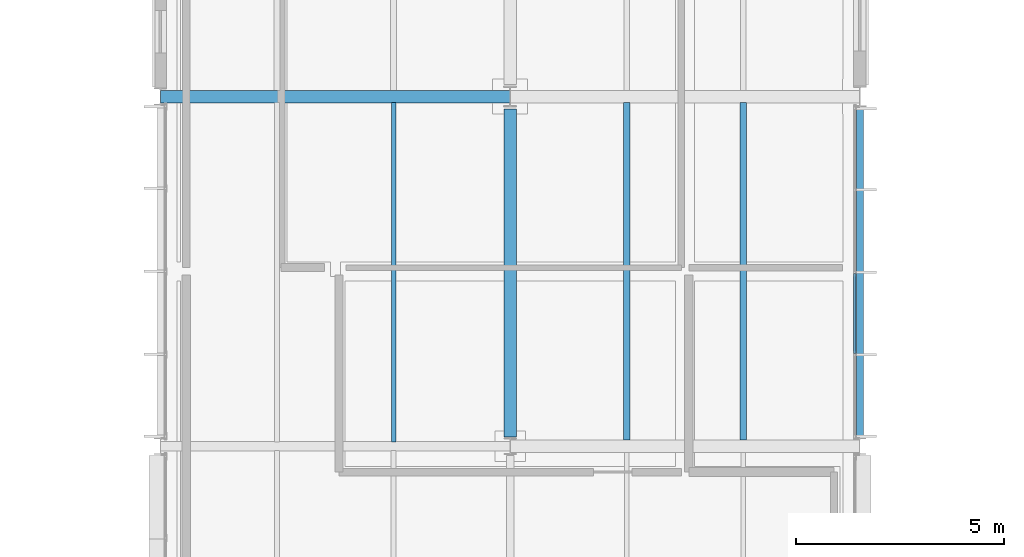
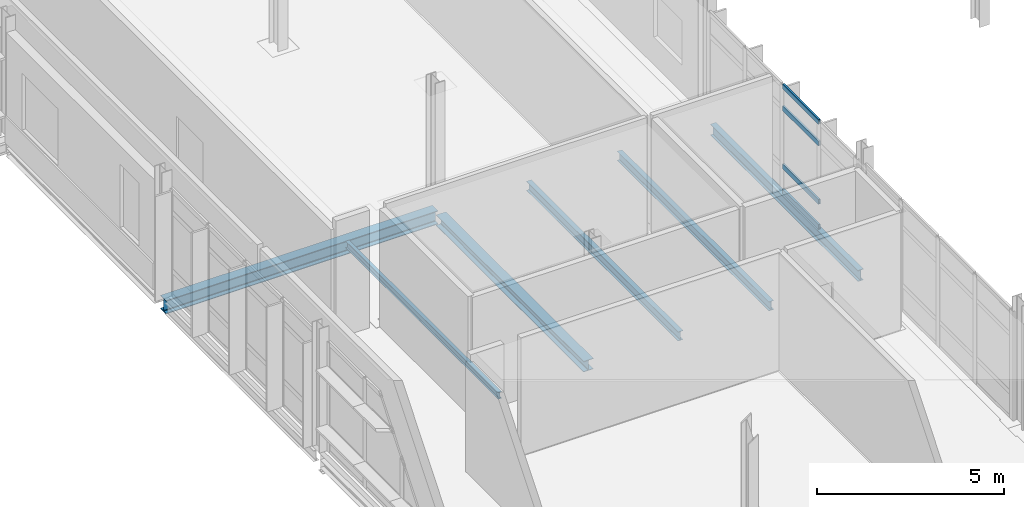
# One storey, part 78 of 151: 6 beams, 4 members, 1 element without a shape of its own.
"""IFC4 building model written with IfcOpenShell, lengths in metres."""

from ifc_helpers import new_model, si_unit, direction, frame, origin, origin_2d, place, context, subcontext, project, spatial, hollow_rectangle, i_section, extrude, material, material_profile, profile_set, type_object, element, aggregate, save


model = new_model("IFC4")

# Units and contexts
model_context = context("Model", 3, precision=1e-05, world=origin(), true_north=direction((0.0, 1.0)))
body_context = subcontext(model_context, "Body", "Model", "MODEL_VIEW")
ifc_project = project(units=[si_unit("LENGTHUNIT", "METRE"), si_unit("AREAUNIT", "SQUARE_METRE"), si_unit("VOLUMEUNIT", "CUBIC_METRE"), si_unit("PLANEANGLEUNIT", "RADIAN"), si_unit("MASSUNIT", "GRAM", prefix="KILO")], contexts=[model_context])

# Site, building, storey
site_placement = place(None, origin())
site = spatial("IfcSite", under=ifc_project, at=site_placement, CompositionType="ELEMENT")
building_placement = place(site_placement, origin())
building = spatial("IfcBuilding", under=site, at=building_placement, Name="Mersafa Astral City Hall", CompositionType="ELEMENT")
storey_placement = place(building_placement, frame((0.0, 0.0, 9.89990234375)))
storey = spatial("IfcBuildingStorey", under=building, at=storey_placement, Name="L02", CompositionType="ELEMENT", Elevation=9.89990234375)

# Curtain wall, members
ifc_material_1 = material(Name="Anodised bronze aluminium framing", Category="aluminium")
curtain_wall_type = type_object("IfcCurtainWallType", Name="ENV-CW-3", PredefinedType="USERDEFINED", material=ifc_material_1)
curtain_wall_placement = place(storey_placement, origin())
curtain_wall = element("IfcCurtainWall", 1, at=curtain_wall_placement, inside=storey, type_object=curtain_wall_type, Name="L02 Unitised solar curtain wall 116", ObjectType="UNITISED CURTAIN WALL", PredefinedType="USERDEFINED")
ifc_material_profile_1 = material_profile(ifc_material_1, hollow_rectangle(XDim=0.06005859375, YDim=0.159912109375, WallThickness=0.00390625, at=origin_2d()), Name="RHS 60x160x4")
ifc_profile_set_1 = profile_set([ifc_material_profile_1], Name="Anodised bronze aluminium framing")
member_type = type_object("IfcMemberType", Name="ENV-CW-TRN-2", PredefinedType="USERDEFINED", material=ifc_profile_set_1)
member_1_placement = place(storey_placement, frame((117.47998046875, 103.0234375, 0.028076171875), z_axis=(0.0, 1.0, 0.0), x_axis=(-1.0, 0.0, 0.0)))
member_1 = element("IfcMember", 2, at=member_1_placement, type_object=member_type, Name="CW-3 transom 2.1", ObjectType="TRANSOM", PredefinedType="USERDEFINED", context=body_context, shape_type="SweptSolid", body=[
    extrude(hollow_rectangle(XDim=0.06005859375, YDim=0.159912109375, WallThickness=0.00390625, at=origin_2d()), origin(), (0.0, 0.0, 1.0), 1.921630859375),
])
member_2_placement = place(storey_placement, frame((117.47998046875, 103.0234375, 0.85009765625), z_axis=(0.0, 1.0, 0.0), x_axis=(-1.0, 0.0, 0.0)))
member_2 = element("IfcMember", 3, at=member_2_placement, type_object=member_type, Name="CW-3 transom 2.2", ObjectType="TRANSOM", PredefinedType="USERDEFINED", context=body_context, shape_type="SweptSolid", body=[
    extrude(hollow_rectangle(XDim=0.06005859375, YDim=0.159912109375, WallThickness=0.00390625, at=origin_2d()), origin(), (0.0, 0.0, 1.0), 1.921630859375),
])
member_3_placement = place(storey_placement, frame((117.47998046875, 103.0234375, 2.75), z_axis=(0.0, 1.0, 0.0), x_axis=(-1.0, 0.0, 0.0)))
member_3 = element("IfcMember", 4, at=member_3_placement, type_object=member_type, Name="CW-3 transom 2.3", ObjectType="TRANSOM", PredefinedType="USERDEFINED", context=body_context, shape_type="SweptSolid", body=[
    extrude(hollow_rectangle(XDim=0.06005859375, YDim=0.159912109375, WallThickness=0.00390625, at=origin_2d()), origin(), (0.0, 0.0, 1.0), 1.921630859375),
])
member_4_placement = place(storey_placement, frame((117.47998046875, 103.0234375, 3.45703125), z_axis=(0.0, 1.0, 0.0), x_axis=(-1.0, 0.0, 0.0)))
member_4 = element("IfcMember", 5, at=member_4_placement, type_object=member_type, Name="CW-3 transom 2.4", ObjectType="TRANSOM", PredefinedType="USERDEFINED", context=body_context, shape_type="SweptSolid", body=[
    extrude(hollow_rectangle(XDim=0.06005859375, YDim=0.159912109375, WallThickness=0.00390625, at=origin_2d()), origin(), (0.0, 0.0, 1.0), 1.921630859375),
])
aggregate(curtain_wall, [member_1, member_2, member_3, member_4])

# Beams
ifc_material_2 = material(Name="Steel S355", Category="steel")
ifc_material_profile_2 = material_profile(ifc_material_2, i_section(OverallWidth=0.300048828125, OverallDepth=0.35009765625, WebThickness=0.010009765625, FlangeThickness=0.017578125, FilletRadius=0.027099609375, at=origin_2d()), Name="HEA 360")
ifc_profile_set_2 = profile_set([ifc_material_profile_2], Name="Steel S355")
beam_type_1 = type_object("IfcBeamType", Name="STR-BM-HEA360", PredefinedType="BEAM", material=ifc_profile_set_2)
beam_1_placement = place(storey_placement, frame((109.199951171875, 101.02001953125, -0.375), z_axis=(0.0, 1.0, 0.0), x_axis=(-1.0, 0.0, 0.0)))
element("IfcBeam", 6, at=beam_1_placement, inside=storey, type_object=beam_type_1, Name="L02 Primary girder Y 13-12", PredefinedType="BEAM", context=body_context, shape_type="SweptSolid", body=[
    extrude(i_section(OverallWidth=0.300048828125, OverallDepth=0.35009765625, WebThickness=0.010009765625, FlangeThickness=0.017578125, FilletRadius=0.027099609375, at=origin_2d()), origin(), (0.0, 0.0, 1.0), 7.885009765625),
])
ifc_material_profile_3 = material_profile(ifc_material_2, i_section(OverallWidth=0.300048828125, OverallDepth=0.43994140625, WebThickness=0.011474609375, FlangeThickness=0.02099609375, FilletRadius=0.027099609375, at=origin_2d()), Name="HEA 450")
ifc_profile_set_3 = profile_set([ifc_material_profile_3], Name="Steel S355")
beam_type_2 = type_object("IfcBeamType", Name="STR-BM-HEA450", PredefinedType="BEAM", material=ifc_profile_set_3)
beam_2_placement = place(storey_placement, frame((100.802978515625, 109.199951171875, -0.419921875), z_axis=(1.0, 0.0, 0.0), x_axis=(0.0, 1.0, 0.0)))
element("IfcBeam", 7, at=beam_2_placement, inside=storey, type_object=beam_type_2, Name="L02 Primary girder X 12-13", PredefinedType="BEAM", context=body_context, shape_type="SweptSolid", body=[
    extrude(i_section(OverallWidth=0.300048828125, OverallDepth=0.43994140625, WebThickness=0.011474609375, FlangeThickness=0.02099609375, FilletRadius=0.027099609375, at=origin_2d()), origin(), (0.0, 0.0, 1.0), 8.39404296875),
])
ifc_material_profile_4 = material_profile(ifc_material_2, i_section(OverallWidth=0.110107421875, OverallDepth=0.219970703125, WebThickness=0.005859375, FlangeThickness=0.00927734375, FilletRadius=0.011962890625, at=origin_2d()), Name="IPE 220")
ifc_profile_set_4 = profile_set([ifc_material_profile_4], Name="Steel S355")
beam_type_3 = type_object("IfcBeamType", Name="STR-BM-JOIST-IPE220", PredefinedType="JOIST", material=ifc_profile_set_4)
beam_3_placement = place(storey_placement, frame((106.39990234375, 100.905029296875, -0.309814453125), z_axis=(0.0, 1.0, 0.0), x_axis=(-1.0, 0.0, 0.0)))
element("IfcBeam", 8, at=beam_3_placement, inside=storey, type_object=beam_type_3, Name="L02 Composite secondary floor joist 465", PredefinedType="JOIST", context=body_context, shape_type="SweptSolid", body=[
    extrude(i_section(OverallWidth=0.110107421875, OverallDepth=0.219970703125, WebThickness=0.005859375, FlangeThickness=0.00927734375, FilletRadius=0.011962890625, at=origin_2d()), origin(), (0.0, 0.0, 1.0), 8.14990234375),
])
ifc_material_profile_5 = material_profile(ifc_material_2, i_section(OverallWidth=0.14990234375, OverallDepth=0.300048828125, WebThickness=0.007080078125, FlangeThickness=0.0107421875, FilletRadius=0.014892578125, at=origin_2d()), Name="IPE 300")
ifc_profile_set_5 = profile_set([ifc_material_profile_5], Name="Steel S355")
beam_type_4 = type_object("IfcBeamType", Name="STR-BM-JOIST-IPE300", PredefinedType="JOIST", material=ifc_profile_set_5)
for number, where, z_axis, x_axis, name in (
    (9, (112.0, 100.945068359375, -0.349853515625), (0.0, 1.0, 0.0), (-1.0, 0.0, 0.0), "L02 Composite secondary floor joist 488"),
    (10, (114.800048828125, 100.945068359375, -0.349853515625), (0.0, 1.0, 0.0), (-1.0, 0.0, 0.0), "L02 Composite secondary floor joist 489"),
):
    element("IfcBeam", number, at=place(storey_placement, frame(where, z_axis=z_axis, x_axis=x_axis)), inside=storey, type_object=beam_type_4, Name=name, PredefinedType="JOIST", context=body_context, shape_type="SweptSolid", body=[
        extrude(i_section(OverallWidth=0.14990234375, OverallDepth=0.300048828125, WebThickness=0.007080078125, FlangeThickness=0.0107421875, FilletRadius=0.014892578125, at=origin_2d()), origin(), (0.0, 0.0, 1.0), 8.10986328125),
    ])
ifc_material_profile_6 = material_profile(ifc_material_2, i_section(OverallWidth=0.169921875, OverallDepth=0.360107421875, WebThickness=0.008056640625, FlangeThickness=0.0126953125, FilletRadius=0.01806640625, at=origin_2d()), Name="IPE 360")
ifc_profile_set_6 = profile_set([ifc_material_profile_6], Name="Steel S355")
beam_type_5 = type_object("IfcBeamType", Name="STR-BM-SPANDREL-IPE360", PredefinedType="SPANDREL", material=ifc_profile_set_6)
beam_4_placement = place(storey_placement, frame((117.60009765625, 101.02001953125, -0.3798828125), z_axis=(0.0, 1.0, 0.0), x_axis=(-1.0, 0.0, 0.0)))
element("IfcBeam", 11, at=beam_4_placement, inside=storey, type_object=beam_type_5, Name="L02 Primary girder Y 14-12", PredefinedType="SPANDREL", context=body_context, shape_type="SweptSolid", body=[
    extrude(i_section(OverallWidth=0.169921875, OverallDepth=0.360107421875, WebThickness=0.008056640625, FlangeThickness=0.0126953125, FilletRadius=0.01806640625, at=origin_2d()), origin(), (0.0, 0.0, 1.0), 7.885009765625),
])

save(model, "model.ifc")
